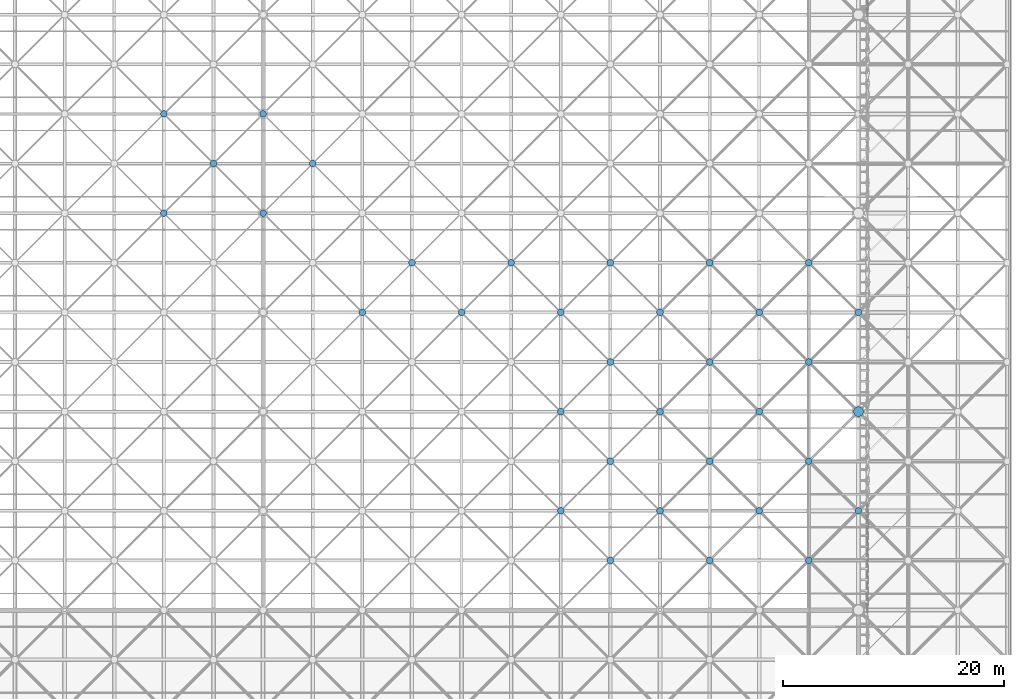
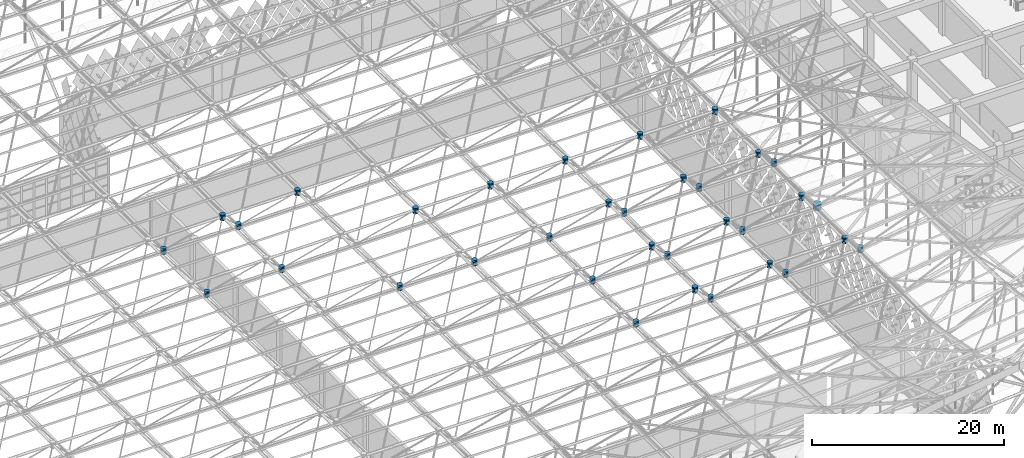
# One storey, part 312 of 437: 34 discrete accessories.
"""IFC4 building model written with IfcOpenShell, lengths in metres."""

from ifc_helpers import new_model, si_unit, direction, frame, origin, place, context, subcontext, project, spatial, polyline, outline, extrude, material, type_object, element, save


model = new_model("IFC4")

# Units and contexts
model_context = context("Model", 3, precision=1e-05, world=origin(), true_north=direction((0.0, 1.0)))
body_context = subcontext(model_context, "Body", "Model", "MODEL_VIEW")
ifc_project = project(units=[si_unit("LENGTHUNIT", "METRE"), si_unit("AREAUNIT", "SQUARE_METRE"), si_unit("VOLUMEUNIT", "CUBIC_METRE"), si_unit("PLANEANGLEUNIT", "RADIAN"), si_unit("MASSUNIT", "GRAM", prefix="KILO")], contexts=[model_context])

# Site, building, storey
site_placement = place(None, origin())
site = spatial("IfcSite", under=ifc_project, at=site_placement, CompositionType="ELEMENT")
building_placement = place(site_placement, origin())
building = spatial("IfcBuilding", under=site, at=building_placement, Name="Opaline Strait Convention Centre", CompositionType="ELEMENT")
storey_placement = place(building_placement, frame((0.0, 0.0, 11.5)))
storey = spatial("IfcBuildingStorey", under=building, at=storey_placement, Name="L02", CompositionType="ELEMENT", Elevation=11.5)

# Discrete accessories
ifc_material = material(Name="Cast steel ZG300-500H (300 MPa)", Category="steel")
discrete_accessory_type_1 = type_object("IfcDiscreteAccessoryType", Name="Space frame bearing node hub D900", PredefinedType="USERDEFINED", material=ifc_material)
discrete_accessory_1_placement = place(storey_placement, frame((0.0, 0.0, 12.139892578125)))
element("IfcDiscreteAccessory", 1, at=discrete_accessory_1_placement, inside=storey, type_object=discrete_accessory_type_1, Name="Bottom node 20/6", ObjectType="NODE HUB", PredefinedType="USERDEFINED", context=body_context, shape_type="SweptSolid", body=[
    extrude(outline(polyline([(261.449951171875, 90.089599609375), (261.381591796875, 90.2548828125), (261.2548828125, 90.381591796875), (261.089599609375, 90.449951171875), (260.910400390625, 90.449951171875), (260.7451171875, 90.381591796875), (260.618408203125, 90.2548828125), (260.550048828125, 90.089599609375), (260.550048828125, 89.910400390625), (260.618408203125, 89.7451171875), (260.7451171875, 89.618408203125), (260.910400390625, 89.550048828125), (261.089599609375, 89.550048828125), (261.2548828125, 89.618408203125), (261.381591796875, 89.7451171875), (261.449951171875, 89.910400390625), (261.449951171875, 90.089599609375)])), origin(), (0.0, 0.0, 1.0), 0.72021484375),
])
discrete_accessory_type_2 = type_object("IfcDiscreteAccessoryType", Name="Space frame node hub D600", PredefinedType="USERDEFINED", material=ifc_material)
discrete_accessory_2_placement = place(storey_placement, frame((0.0, 0.0, 17.611572265625)))
element("IfcDiscreteAccessory", 2, at=discrete_accessory_2_placement, inside=storey, type_object=discrete_accessory_type_2, Name="Top node 14/9", ObjectType="NODE HUB", PredefinedType="USERDEFINED", context=body_context, shape_type="SweptSolid", body=[
    extrude(outline(polyline([(202.800048828125, 112.559814453125), (202.75439453125, 112.669921875), (202.669921875, 112.75439453125), (202.559814453125, 112.800048828125), (202.440185546875, 112.800048828125), (202.330078125, 112.75439453125), (202.24560546875, 112.669921875), (202.199951171875, 112.559814453125), (202.199951171875, 112.440185546875), (202.24560546875, 112.330078125), (202.330078125, 112.24560546875), (202.440185546875, 112.199951171875), (202.559814453125, 112.199951171875), (202.669921875, 112.24560546875), (202.75439453125, 112.330078125), (202.800048828125, 112.440185546875), (202.800048828125, 112.559814453125)])), origin(), (0.0, 0.0, 1.0), 0.719970703125),
])
discrete_accessory_3_placement = place(storey_placement, frame((0.0, 0.0, 17.611572265625)))
element("IfcDiscreteAccessory", 3, at=discrete_accessory_3_placement, inside=storey, type_object=discrete_accessory_type_2, Name="Top node 15/9", ObjectType="NODE HUB", PredefinedType="USERDEFINED", context=body_context, shape_type="SweptSolid", body=[
    extrude(outline(polyline([(211.800048828125, 112.559814453125), (211.75439453125, 112.669921875), (211.669921875, 112.75439453125), (211.559814453125, 112.800048828125), (211.440185546875, 112.800048828125), (211.330078125, 112.75439453125), (211.24560546875, 112.669921875), (211.199951171875, 112.559814453125), (211.199951171875, 112.440185546875), (211.24560546875, 112.330078125), (211.330078125, 112.24560546875), (211.440185546875, 112.199951171875), (211.559814453125, 112.199951171875), (211.669921875, 112.24560546875), (211.75439453125, 112.330078125), (211.800048828125, 112.440185546875), (211.800048828125, 112.559814453125)])), origin(), (0.0, 0.0, 1.0), 0.719970703125),
])
discrete_accessory_4_placement = place(storey_placement, frame((0.0, 0.0, 17.611572265625)))
element("IfcDiscreteAccessory", 4, at=discrete_accessory_4_placement, inside=storey, type_object=discrete_accessory_type_2, Name="Top node 16/8", ObjectType="NODE HUB", PredefinedType="USERDEFINED", context=body_context, shape_type="SweptSolid", body=[
    extrude(outline(polyline([(220.800048828125, 103.559814453125), (220.75439453125, 103.669921875), (220.669921875, 103.75439453125), (220.559814453125, 103.800048828125), (220.440185546875, 103.800048828125), (220.330078125, 103.75439453125), (220.24560546875, 103.669921875), (220.199951171875, 103.559814453125), (220.199951171875, 103.440185546875), (220.24560546875, 103.330078125), (220.330078125, 103.24560546875), (220.440185546875, 103.199951171875), (220.559814453125, 103.199951171875), (220.669921875, 103.24560546875), (220.75439453125, 103.330078125), (220.800048828125, 103.440185546875), (220.800048828125, 103.559814453125)])), origin(), (0.0, 0.0, 1.0), 0.719970703125),
])
discrete_accessory_5_placement = place(storey_placement, frame((0.0, 0.0, 17.611572265625)))
element("IfcDiscreteAccessory", 5, at=discrete_accessory_5_placement, inside=storey, type_object=discrete_accessory_type_2, Name="Top node 17/8", ObjectType="NODE HUB", PredefinedType="USERDEFINED", context=body_context, shape_type="SweptSolid", body=[
    extrude(outline(polyline([(229.800048828125, 103.559814453125), (229.75439453125, 103.669921875), (229.669921875, 103.75439453125), (229.559814453125, 103.800048828125), (229.440185546875, 103.800048828125), (229.330078125, 103.75439453125), (229.24560546875, 103.669921875), (229.199951171875, 103.559814453125), (229.199951171875, 103.440185546875), (229.24560546875, 103.330078125), (229.330078125, 103.24560546875), (229.440185546875, 103.199951171875), (229.559814453125, 103.199951171875), (229.669921875, 103.24560546875), (229.75439453125, 103.330078125), (229.800048828125, 103.440185546875), (229.800048828125, 103.559814453125)])), origin(), (0.0, 0.0, 1.0), 0.719970703125),
])
discrete_accessory_6_placement = place(storey_placement, frame((0.0, 0.0, 17.611572265625)))
element("IfcDiscreteAccessory", 6, at=discrete_accessory_6_placement, inside=storey, type_object=discrete_accessory_type_2, Name="Top node 18/5", ObjectType="NODE HUB", PredefinedType="USERDEFINED", context=body_context, shape_type="SweptSolid", body=[
    extrude(outline(polyline([(238.800048828125, 76.559814453125), (238.75439453125, 76.669921875), (238.669921875, 76.75439453125), (238.559814453125, 76.800048828125), (238.440185546875, 76.800048828125), (238.330078125, 76.75439453125), (238.24560546875, 76.669921875), (238.199951171875, 76.559814453125), (238.199951171875, 76.440185546875), (238.24560546875, 76.330078125), (238.330078125, 76.24560546875), (238.440185546875, 76.199951171875), (238.559814453125, 76.199951171875), (238.669921875, 76.24560546875), (238.75439453125, 76.330078125), (238.800048828125, 76.440185546875), (238.800048828125, 76.559814453125)])), origin(), (0.0, 0.0, 1.0), 0.719970703125),
])
discrete_accessory_7_placement = place(storey_placement, frame((0.0, 0.0, 17.611572265625)))
element("IfcDiscreteAccessory", 7, at=discrete_accessory_7_placement, inside=storey, type_object=discrete_accessory_type_2, Name="Top node 18/6", ObjectType="NODE HUB", PredefinedType="USERDEFINED", context=body_context, shape_type="SweptSolid", body=[
    extrude(outline(polyline([(238.800048828125, 85.559814453125), (238.75439453125, 85.669921875), (238.669921875, 85.75439453125), (238.559814453125, 85.800048828125), (238.440185546875, 85.800048828125), (238.330078125, 85.75439453125), (238.24560546875, 85.669921875), (238.199951171875, 85.559814453125), (238.199951171875, 85.440185546875), (238.24560546875, 85.330078125), (238.330078125, 85.24560546875), (238.440185546875, 85.199951171875), (238.559814453125, 85.199951171875), (238.669921875, 85.24560546875), (238.75439453125, 85.330078125), (238.800048828125, 85.440185546875), (238.800048828125, 85.559814453125)])), origin(), (0.0, 0.0, 1.0), 0.719970703125),
])
discrete_accessory_8_placement = place(storey_placement, frame((0.0, 0.0, 17.611572265625)))
element("IfcDiscreteAccessory", 8, at=discrete_accessory_8_placement, inside=storey, type_object=discrete_accessory_type_2, Name="Top node 18/7", ObjectType="NODE HUB", PredefinedType="USERDEFINED", context=body_context, shape_type="SweptSolid", body=[
    extrude(outline(polyline([(238.800048828125, 94.559814453125), (238.75439453125, 94.669921875), (238.669921875, 94.75439453125), (238.559814453125, 94.800048828125), (238.440185546875, 94.800048828125), (238.330078125, 94.75439453125), (238.24560546875, 94.669921875), (238.199951171875, 94.559814453125), (238.199951171875, 94.440185546875), (238.24560546875, 94.330078125), (238.330078125, 94.24560546875), (238.440185546875, 94.199951171875), (238.559814453125, 94.199951171875), (238.669921875, 94.24560546875), (238.75439453125, 94.330078125), (238.800048828125, 94.440185546875), (238.800048828125, 94.559814453125)])), origin(), (0.0, 0.0, 1.0), 0.719970703125),
])
discrete_accessory_9_placement = place(storey_placement, frame((0.0, 0.0, 17.611572265625)))
element("IfcDiscreteAccessory", 9, at=discrete_accessory_9_placement, inside=storey, type_object=discrete_accessory_type_2, Name="Top node 18/8", ObjectType="NODE HUB", PredefinedType="USERDEFINED", context=body_context, shape_type="SweptSolid", body=[
    extrude(outline(polyline([(238.800048828125, 103.559814453125), (238.75439453125, 103.669921875), (238.669921875, 103.75439453125), (238.559814453125, 103.800048828125), (238.440185546875, 103.800048828125), (238.330078125, 103.75439453125), (238.24560546875, 103.669921875), (238.199951171875, 103.559814453125), (238.199951171875, 103.440185546875), (238.24560546875, 103.330078125), (238.330078125, 103.24560546875), (238.440185546875, 103.199951171875), (238.559814453125, 103.199951171875), (238.669921875, 103.24560546875), (238.75439453125, 103.330078125), (238.800048828125, 103.440185546875), (238.800048828125, 103.559814453125)])), origin(), (0.0, 0.0, 1.0), 0.719970703125),
])
discrete_accessory_10_placement = place(storey_placement, frame((0.0, 0.0, 17.611572265625)))
element("IfcDiscreteAccessory", 10, at=discrete_accessory_10_placement, inside=storey, type_object=discrete_accessory_type_2, Name="Top node 19/5", ObjectType="NODE HUB", PredefinedType="USERDEFINED", context=body_context, shape_type="SweptSolid", body=[
    extrude(outline(polyline([(247.800048828125, 76.559814453125), (247.75439453125, 76.669921875), (247.669921875, 76.75439453125), (247.559814453125, 76.800048828125), (247.440185546875, 76.800048828125), (247.330078125, 76.75439453125), (247.24560546875, 76.669921875), (247.199951171875, 76.559814453125), (247.199951171875, 76.440185546875), (247.24560546875, 76.330078125), (247.330078125, 76.24560546875), (247.440185546875, 76.199951171875), (247.559814453125, 76.199951171875), (247.669921875, 76.24560546875), (247.75439453125, 76.330078125), (247.800048828125, 76.440185546875), (247.800048828125, 76.559814453125)])), origin(), (0.0, 0.0, 1.0), 0.719970703125),
])
discrete_accessory_11_placement = place(storey_placement, frame((0.0, 0.0, 17.611572265625)))
element("IfcDiscreteAccessory", 11, at=discrete_accessory_11_placement, inside=storey, type_object=discrete_accessory_type_2, Name="Top node 19/6", ObjectType="NODE HUB", PredefinedType="USERDEFINED", context=body_context, shape_type="SweptSolid", body=[
    extrude(outline(polyline([(247.800048828125, 85.559814453125), (247.75439453125, 85.669921875), (247.669921875, 85.75439453125), (247.559814453125, 85.800048828125), (247.440185546875, 85.800048828125), (247.330078125, 85.75439453125), (247.24560546875, 85.669921875), (247.199951171875, 85.559814453125), (247.199951171875, 85.440185546875), (247.24560546875, 85.330078125), (247.330078125, 85.24560546875), (247.440185546875, 85.199951171875), (247.559814453125, 85.199951171875), (247.669921875, 85.24560546875), (247.75439453125, 85.330078125), (247.800048828125, 85.440185546875), (247.800048828125, 85.559814453125)])), origin(), (0.0, 0.0, 1.0), 0.719970703125),
])
discrete_accessory_12_placement = place(storey_placement, frame((0.0, 0.0, 17.611572265625)))
element("IfcDiscreteAccessory", 12, at=discrete_accessory_12_placement, inside=storey, type_object=discrete_accessory_type_2, Name="Top node 19/7", ObjectType="NODE HUB", PredefinedType="USERDEFINED", context=body_context, shape_type="SweptSolid", body=[
    extrude(outline(polyline([(247.800048828125, 94.559814453125), (247.75439453125, 94.669921875), (247.669921875, 94.75439453125), (247.559814453125, 94.800048828125), (247.440185546875, 94.800048828125), (247.330078125, 94.75439453125), (247.24560546875, 94.669921875), (247.199951171875, 94.559814453125), (247.199951171875, 94.440185546875), (247.24560546875, 94.330078125), (247.330078125, 94.24560546875), (247.440185546875, 94.199951171875), (247.559814453125, 94.199951171875), (247.669921875, 94.24560546875), (247.75439453125, 94.330078125), (247.800048828125, 94.440185546875), (247.800048828125, 94.559814453125)])), origin(), (0.0, 0.0, 1.0), 0.719970703125),
])
discrete_accessory_13_placement = place(storey_placement, frame((0.0, 0.0, 17.611572265625)))
element("IfcDiscreteAccessory", 13, at=discrete_accessory_13_placement, inside=storey, type_object=discrete_accessory_type_2, Name="Top node 19/8", ObjectType="NODE HUB", PredefinedType="USERDEFINED", context=body_context, shape_type="SweptSolid", body=[
    extrude(outline(polyline([(247.800048828125, 103.559814453125), (247.75439453125, 103.669921875), (247.669921875, 103.75439453125), (247.559814453125, 103.800048828125), (247.440185546875, 103.800048828125), (247.330078125, 103.75439453125), (247.24560546875, 103.669921875), (247.199951171875, 103.559814453125), (247.199951171875, 103.440185546875), (247.24560546875, 103.330078125), (247.330078125, 103.24560546875), (247.440185546875, 103.199951171875), (247.559814453125, 103.199951171875), (247.669921875, 103.24560546875), (247.75439453125, 103.330078125), (247.800048828125, 103.440185546875), (247.800048828125, 103.559814453125)])), origin(), (0.0, 0.0, 1.0), 0.719970703125),
])
discrete_accessory_14_placement = place(storey_placement, frame((0.0, 0.0, 17.611572265625)))
element("IfcDiscreteAccessory", 14, at=discrete_accessory_14_placement, inside=storey, type_object=discrete_accessory_type_2, Name="Top node 20/5", ObjectType="NODE HUB", PredefinedType="USERDEFINED", context=body_context, shape_type="SweptSolid", body=[
    extrude(outline(polyline([(256.800048828125, 76.559814453125), (256.75439453125, 76.669921875), (256.669921875, 76.75439453125), (256.559814453125, 76.800048828125), (256.440185546875, 76.800048828125), (256.330078125, 76.75439453125), (256.24560546875, 76.669921875), (256.199951171875, 76.559814453125), (256.199951171875, 76.440185546875), (256.24560546875, 76.330078125), (256.330078125, 76.24560546875), (256.440185546875, 76.199951171875), (256.559814453125, 76.199951171875), (256.669921875, 76.24560546875), (256.75439453125, 76.330078125), (256.800048828125, 76.440185546875), (256.800048828125, 76.559814453125)])), origin(), (0.0, 0.0, 1.0), 0.719970703125),
])
discrete_accessory_15_placement = place(storey_placement, frame((0.0, 0.0, 17.611572265625)))
element("IfcDiscreteAccessory", 15, at=discrete_accessory_15_placement, inside=storey, type_object=discrete_accessory_type_2, Name="Top node 20/6", ObjectType="NODE HUB", PredefinedType="USERDEFINED", context=body_context, shape_type="SweptSolid", body=[
    extrude(outline(polyline([(256.800048828125, 85.559814453125), (256.75439453125, 85.669921875), (256.669921875, 85.75439453125), (256.559814453125, 85.800048828125), (256.440185546875, 85.800048828125), (256.330078125, 85.75439453125), (256.24560546875, 85.669921875), (256.199951171875, 85.559814453125), (256.199951171875, 85.440185546875), (256.24560546875, 85.330078125), (256.330078125, 85.24560546875), (256.440185546875, 85.199951171875), (256.559814453125, 85.199951171875), (256.669921875, 85.24560546875), (256.75439453125, 85.330078125), (256.800048828125, 85.440185546875), (256.800048828125, 85.559814453125)])), origin(), (0.0, 0.0, 1.0), 0.719970703125),
])
discrete_accessory_16_placement = place(storey_placement, frame((0.0, 0.0, 17.611572265625)))
element("IfcDiscreteAccessory", 16, at=discrete_accessory_16_placement, inside=storey, type_object=discrete_accessory_type_2, Name="Top node 20/7", ObjectType="NODE HUB", PredefinedType="USERDEFINED", context=body_context, shape_type="SweptSolid", body=[
    extrude(outline(polyline([(256.800048828125, 94.559814453125), (256.75439453125, 94.669921875), (256.669921875, 94.75439453125), (256.559814453125, 94.800048828125), (256.440185546875, 94.800048828125), (256.330078125, 94.75439453125), (256.24560546875, 94.669921875), (256.199951171875, 94.559814453125), (256.199951171875, 94.440185546875), (256.24560546875, 94.330078125), (256.330078125, 94.24560546875), (256.440185546875, 94.199951171875), (256.559814453125, 94.199951171875), (256.669921875, 94.24560546875), (256.75439453125, 94.330078125), (256.800048828125, 94.440185546875), (256.800048828125, 94.559814453125)])), origin(), (0.0, 0.0, 1.0), 0.719970703125),
])
discrete_accessory_17_placement = place(storey_placement, frame((0.0, 0.0, 17.611572265625)))
element("IfcDiscreteAccessory", 17, at=discrete_accessory_17_placement, inside=storey, type_object=discrete_accessory_type_2, Name="Top node 20/8", ObjectType="NODE HUB", PredefinedType="USERDEFINED", context=body_context, shape_type="SweptSolid", body=[
    extrude(outline(polyline([(256.800048828125, 103.559814453125), (256.75439453125, 103.669921875), (256.669921875, 103.75439453125), (256.559814453125, 103.800048828125), (256.440185546875, 103.800048828125), (256.330078125, 103.75439453125), (256.24560546875, 103.669921875), (256.199951171875, 103.559814453125), (256.199951171875, 103.440185546875), (256.24560546875, 103.330078125), (256.330078125, 103.24560546875), (256.440185546875, 103.199951171875), (256.559814453125, 103.199951171875), (256.669921875, 103.24560546875), (256.75439453125, 103.330078125), (256.800048828125, 103.440185546875), (256.800048828125, 103.559814453125)])), origin(), (0.0, 0.0, 1.0), 0.719970703125),
])
discrete_accessory_18_placement = place(storey_placement, frame((0.0, 0.0, 12.139892578125)))
element("IfcDiscreteAccessory", 18, at=discrete_accessory_18_placement, inside=storey, type_object=discrete_accessory_type_2, Name="Bottom node 13/8", ObjectType="NODE HUB", PredefinedType="USERDEFINED", context=body_context, shape_type="SweptSolid", body=[
    extrude(outline(polyline([(198.300048828125, 108.059814453125), (198.25439453125, 108.169921875), (198.169921875, 108.25439453125), (198.059814453125, 108.300048828125), (197.940185546875, 108.300048828125), (197.830078125, 108.25439453125), (197.74560546875, 108.169921875), (197.699951171875, 108.059814453125), (197.699951171875, 107.940185546875), (197.74560546875, 107.830078125), (197.830078125, 107.74560546875), (197.940185546875, 107.699951171875), (198.059814453125, 107.699951171875), (198.169921875, 107.74560546875), (198.25439453125, 107.830078125), (198.300048828125, 107.940185546875), (198.300048828125, 108.059814453125)])), origin(), (0.0, 0.0, 1.0), 0.72021484375),
])
discrete_accessory_19_placement = place(storey_placement, frame((0.0, 0.0, 12.139892578125)))
element("IfcDiscreteAccessory", 19, at=discrete_accessory_19_placement, inside=storey, type_object=discrete_accessory_type_2, Name="Bottom node 13/9", ObjectType="NODE HUB", PredefinedType="USERDEFINED", context=body_context, shape_type="SweptSolid", body=[
    extrude(outline(polyline([(198.300048828125, 117.059814453125), (198.25439453125, 117.169921875), (198.169921875, 117.25439453125), (198.059814453125, 117.300048828125), (197.940185546875, 117.300048828125), (197.830078125, 117.25439453125), (197.74560546875, 117.169921875), (197.699951171875, 117.059814453125), (197.699951171875, 116.940185546875), (197.74560546875, 116.830078125), (197.830078125, 116.74560546875), (197.940185546875, 116.699951171875), (198.059814453125, 116.699951171875), (198.169921875, 116.74560546875), (198.25439453125, 116.830078125), (198.300048828125, 116.940185546875), (198.300048828125, 117.059814453125)])), origin(), (0.0, 0.0, 1.0), 0.72021484375),
])
discrete_accessory_20_placement = place(storey_placement, frame((0.0, 0.0, 12.139892578125)))
element("IfcDiscreteAccessory", 20, at=discrete_accessory_20_placement, inside=storey, type_object=discrete_accessory_type_2, Name="Bottom node 14/8", ObjectType="NODE HUB", PredefinedType="USERDEFINED", context=body_context, shape_type="SweptSolid", body=[
    extrude(outline(polyline([(207.300048828125, 108.059814453125), (207.25439453125, 108.169921875), (207.169921875, 108.25439453125), (207.059814453125, 108.300048828125), (206.940185546875, 108.300048828125), (206.830078125, 108.25439453125), (206.74560546875, 108.169921875), (206.699951171875, 108.059814453125), (206.699951171875, 107.940185546875), (206.74560546875, 107.830078125), (206.830078125, 107.74560546875), (206.940185546875, 107.699951171875), (207.059814453125, 107.699951171875), (207.169921875, 107.74560546875), (207.25439453125, 107.830078125), (207.300048828125, 107.940185546875), (207.300048828125, 108.059814453125)])), origin(), (0.0, 0.0, 1.0), 0.72021484375),
])
discrete_accessory_21_placement = place(storey_placement, frame((0.0, 0.0, 12.139892578125)))
element("IfcDiscreteAccessory", 21, at=discrete_accessory_21_placement, inside=storey, type_object=discrete_accessory_type_2, Name="Bottom node 14/9", ObjectType="NODE HUB", PredefinedType="USERDEFINED", context=body_context, shape_type="SweptSolid", body=[
    extrude(outline(polyline([(207.300048828125, 117.059814453125), (207.25439453125, 117.169921875), (207.169921875, 117.25439453125), (207.059814453125, 117.300048828125), (206.940185546875, 117.300048828125), (206.830078125, 117.25439453125), (206.74560546875, 117.169921875), (206.699951171875, 117.059814453125), (206.699951171875, 116.940185546875), (206.74560546875, 116.830078125), (206.830078125, 116.74560546875), (206.940185546875, 116.699951171875), (207.059814453125, 116.699951171875), (207.169921875, 116.74560546875), (207.25439453125, 116.830078125), (207.300048828125, 116.940185546875), (207.300048828125, 117.059814453125)])), origin(), (0.0, 0.0, 1.0), 0.72021484375),
])
discrete_accessory_22_placement = place(storey_placement, frame((0.0, 0.0, 12.139892578125)))
element("IfcDiscreteAccessory", 22, at=discrete_accessory_22_placement, inside=storey, type_object=discrete_accessory_type_2, Name="Bottom node 15/7", ObjectType="NODE HUB", PredefinedType="USERDEFINED", context=body_context, shape_type="SweptSolid", body=[
    extrude(outline(polyline([(216.300048828125, 99.059814453125), (216.25439453125, 99.169921875), (216.169921875, 99.25439453125), (216.059814453125, 99.300048828125), (215.940185546875, 99.300048828125), (215.830078125, 99.25439453125), (215.74560546875, 99.169921875), (215.699951171875, 99.059814453125), (215.699951171875, 98.940185546875), (215.74560546875, 98.830078125), (215.830078125, 98.74560546875), (215.940185546875, 98.699951171875), (216.059814453125, 98.699951171875), (216.169921875, 98.74560546875), (216.25439453125, 98.830078125), (216.300048828125, 98.940185546875), (216.300048828125, 99.059814453125)])), origin(), (0.0, 0.0, 1.0), 0.72021484375),
])
discrete_accessory_23_placement = place(storey_placement, frame((0.0, 0.0, 12.139892578125)))
element("IfcDiscreteAccessory", 23, at=discrete_accessory_23_placement, inside=storey, type_object=discrete_accessory_type_2, Name="Bottom node 16/7", ObjectType="NODE HUB", PredefinedType="USERDEFINED", context=body_context, shape_type="SweptSolid", body=[
    extrude(outline(polyline([(225.300048828125, 99.059814453125), (225.25439453125, 99.169921875), (225.169921875, 99.25439453125), (225.059814453125, 99.300048828125), (224.940185546875, 99.300048828125), (224.830078125, 99.25439453125), (224.74560546875, 99.169921875), (224.699951171875, 99.059814453125), (224.699951171875, 98.940185546875), (224.74560546875, 98.830078125), (224.830078125, 98.74560546875), (224.940185546875, 98.699951171875), (225.059814453125, 98.699951171875), (225.169921875, 98.74560546875), (225.25439453125, 98.830078125), (225.300048828125, 98.940185546875), (225.300048828125, 99.059814453125)])), origin(), (0.0, 0.0, 1.0), 0.72021484375),
])
discrete_accessory_24_placement = place(storey_placement, frame((0.0, 0.0, 12.139892578125)))
element("IfcDiscreteAccessory", 24, at=discrete_accessory_24_placement, inside=storey, type_object=discrete_accessory_type_2, Name="Bottom node 17/5", ObjectType="NODE HUB", PredefinedType="USERDEFINED", context=body_context, shape_type="SweptSolid", body=[
    extrude(outline(polyline([(234.300048828125, 81.059814453125), (234.25439453125, 81.169921875), (234.169921875, 81.25439453125), (234.059814453125, 81.300048828125), (233.940185546875, 81.300048828125), (233.830078125, 81.25439453125), (233.74560546875, 81.169921875), (233.699951171875, 81.059814453125), (233.699951171875, 80.940185546875), (233.74560546875, 80.830078125), (233.830078125, 80.74560546875), (233.940185546875, 80.699951171875), (234.059814453125, 80.699951171875), (234.169921875, 80.74560546875), (234.25439453125, 80.830078125), (234.300048828125, 80.940185546875), (234.300048828125, 81.059814453125)])), origin(), (0.0, 0.0, 1.0), 0.72021484375),
])
discrete_accessory_25_placement = place(storey_placement, frame((0.0, 0.0, 12.139892578125)))
element("IfcDiscreteAccessory", 25, at=discrete_accessory_25_placement, inside=storey, type_object=discrete_accessory_type_2, Name="Bottom node 17/6", ObjectType="NODE HUB", PredefinedType="USERDEFINED", context=body_context, shape_type="SweptSolid", body=[
    extrude(outline(polyline([(234.300048828125, 90.059814453125), (234.25439453125, 90.169921875), (234.169921875, 90.25439453125), (234.059814453125, 90.300048828125), (233.940185546875, 90.300048828125), (233.830078125, 90.25439453125), (233.74560546875, 90.169921875), (233.699951171875, 90.059814453125), (233.699951171875, 89.940185546875), (233.74560546875, 89.830078125), (233.830078125, 89.74560546875), (233.940185546875, 89.699951171875), (234.059814453125, 89.699951171875), (234.169921875, 89.74560546875), (234.25439453125, 89.830078125), (234.300048828125, 89.940185546875), (234.300048828125, 90.059814453125)])), origin(), (0.0, 0.0, 1.0), 0.72021484375),
])
discrete_accessory_26_placement = place(storey_placement, frame((0.0, 0.0, 12.139892578125)))
element("IfcDiscreteAccessory", 26, at=discrete_accessory_26_placement, inside=storey, type_object=discrete_accessory_type_2, Name="Bottom node 17/7", ObjectType="NODE HUB", PredefinedType="USERDEFINED", context=body_context, shape_type="SweptSolid", body=[
    extrude(outline(polyline([(234.300048828125, 99.059814453125), (234.25439453125, 99.169921875), (234.169921875, 99.25439453125), (234.059814453125, 99.300048828125), (233.940185546875, 99.300048828125), (233.830078125, 99.25439453125), (233.74560546875, 99.169921875), (233.699951171875, 99.059814453125), (233.699951171875, 98.940185546875), (233.74560546875, 98.830078125), (233.830078125, 98.74560546875), (233.940185546875, 98.699951171875), (234.059814453125, 98.699951171875), (234.169921875, 98.74560546875), (234.25439453125, 98.830078125), (234.300048828125, 98.940185546875), (234.300048828125, 99.059814453125)])), origin(), (0.0, 0.0, 1.0), 0.72021484375),
])
discrete_accessory_27_placement = place(storey_placement, frame((0.0, 0.0, 12.139892578125)))
element("IfcDiscreteAccessory", 27, at=discrete_accessory_27_placement, inside=storey, type_object=discrete_accessory_type_2, Name="Bottom node 18/5", ObjectType="NODE HUB", PredefinedType="USERDEFINED", context=body_context, shape_type="SweptSolid", body=[
    extrude(outline(polyline([(243.300048828125, 81.059814453125), (243.25439453125, 81.169921875), (243.169921875, 81.25439453125), (243.059814453125, 81.300048828125), (242.940185546875, 81.300048828125), (242.830078125, 81.25439453125), (242.74560546875, 81.169921875), (242.699951171875, 81.059814453125), (242.699951171875, 80.940185546875), (242.74560546875, 80.830078125), (242.830078125, 80.74560546875), (242.940185546875, 80.699951171875), (243.059814453125, 80.699951171875), (243.169921875, 80.74560546875), (243.25439453125, 80.830078125), (243.300048828125, 80.940185546875), (243.300048828125, 81.059814453125)])), origin(), (0.0, 0.0, 1.0), 0.72021484375),
])
discrete_accessory_28_placement = place(storey_placement, frame((0.0, 0.0, 12.139892578125)))
element("IfcDiscreteAccessory", 28, at=discrete_accessory_28_placement, inside=storey, type_object=discrete_accessory_type_2, Name="Bottom node 18/6", ObjectType="NODE HUB", PredefinedType="USERDEFINED", context=body_context, shape_type="SweptSolid", body=[
    extrude(outline(polyline([(243.300048828125, 90.059814453125), (243.25439453125, 90.169921875), (243.169921875, 90.25439453125), (243.059814453125, 90.300048828125), (242.940185546875, 90.300048828125), (242.830078125, 90.25439453125), (242.74560546875, 90.169921875), (242.699951171875, 90.059814453125), (242.699951171875, 89.940185546875), (242.74560546875, 89.830078125), (242.830078125, 89.74560546875), (242.940185546875, 89.699951171875), (243.059814453125, 89.699951171875), (243.169921875, 89.74560546875), (243.25439453125, 89.830078125), (243.300048828125, 89.940185546875), (243.300048828125, 90.059814453125)])), origin(), (0.0, 0.0, 1.0), 0.72021484375),
])
discrete_accessory_29_placement = place(storey_placement, frame((0.0, 0.0, 12.139892578125)))
element("IfcDiscreteAccessory", 29, at=discrete_accessory_29_placement, inside=storey, type_object=discrete_accessory_type_2, Name="Bottom node 18/7", ObjectType="NODE HUB", PredefinedType="USERDEFINED", context=body_context, shape_type="SweptSolid", body=[
    extrude(outline(polyline([(243.300048828125, 99.059814453125), (243.25439453125, 99.169921875), (243.169921875, 99.25439453125), (243.059814453125, 99.300048828125), (242.940185546875, 99.300048828125), (242.830078125, 99.25439453125), (242.74560546875, 99.169921875), (242.699951171875, 99.059814453125), (242.699951171875, 98.940185546875), (242.74560546875, 98.830078125), (242.830078125, 98.74560546875), (242.940185546875, 98.699951171875), (243.059814453125, 98.699951171875), (243.169921875, 98.74560546875), (243.25439453125, 98.830078125), (243.300048828125, 98.940185546875), (243.300048828125, 99.059814453125)])), origin(), (0.0, 0.0, 1.0), 0.72021484375),
])
discrete_accessory_30_placement = place(storey_placement, frame((0.0, 0.0, 12.139892578125)))
element("IfcDiscreteAccessory", 30, at=discrete_accessory_30_placement, inside=storey, type_object=discrete_accessory_type_2, Name="Bottom node 19/5", ObjectType="NODE HUB", PredefinedType="USERDEFINED", context=body_context, shape_type="SweptSolid", body=[
    extrude(outline(polyline([(252.300048828125, 81.059814453125), (252.25439453125, 81.169921875), (252.169921875, 81.25439453125), (252.059814453125, 81.300048828125), (251.940185546875, 81.300048828125), (251.830078125, 81.25439453125), (251.74560546875, 81.169921875), (251.699951171875, 81.059814453125), (251.699951171875, 80.940185546875), (251.74560546875, 80.830078125), (251.830078125, 80.74560546875), (251.940185546875, 80.699951171875), (252.059814453125, 80.699951171875), (252.169921875, 80.74560546875), (252.25439453125, 80.830078125), (252.300048828125, 80.940185546875), (252.300048828125, 81.059814453125)])), origin(), (0.0, 0.0, 1.0), 0.72021484375),
])
discrete_accessory_31_placement = place(storey_placement, frame((0.0, 0.0, 12.139892578125)))
element("IfcDiscreteAccessory", 31, at=discrete_accessory_31_placement, inside=storey, type_object=discrete_accessory_type_2, Name="Bottom node 19/6", ObjectType="NODE HUB", PredefinedType="USERDEFINED", context=body_context, shape_type="SweptSolid", body=[
    extrude(outline(polyline([(252.300048828125, 90.059814453125), (252.25439453125, 90.169921875), (252.169921875, 90.25439453125), (252.059814453125, 90.300048828125), (251.940185546875, 90.300048828125), (251.830078125, 90.25439453125), (251.74560546875, 90.169921875), (251.699951171875, 90.059814453125), (251.699951171875, 89.940185546875), (251.74560546875, 89.830078125), (251.830078125, 89.74560546875), (251.940185546875, 89.699951171875), (252.059814453125, 89.699951171875), (252.169921875, 89.74560546875), (252.25439453125, 89.830078125), (252.300048828125, 89.940185546875), (252.300048828125, 90.059814453125)])), origin(), (0.0, 0.0, 1.0), 0.72021484375),
])
discrete_accessory_32_placement = place(storey_placement, frame((0.0, 0.0, 12.139892578125)))
element("IfcDiscreteAccessory", 32, at=discrete_accessory_32_placement, inside=storey, type_object=discrete_accessory_type_2, Name="Bottom node 19/7", ObjectType="NODE HUB", PredefinedType="USERDEFINED", context=body_context, shape_type="SweptSolid", body=[
    extrude(outline(polyline([(252.300048828125, 99.059814453125), (252.25439453125, 99.169921875), (252.169921875, 99.25439453125), (252.059814453125, 99.300048828125), (251.940185546875, 99.300048828125), (251.830078125, 99.25439453125), (251.74560546875, 99.169921875), (251.699951171875, 99.059814453125), (251.699951171875, 98.940185546875), (251.74560546875, 98.830078125), (251.830078125, 98.74560546875), (251.940185546875, 98.699951171875), (252.059814453125, 98.699951171875), (252.169921875, 98.74560546875), (252.25439453125, 98.830078125), (252.300048828125, 98.940185546875), (252.300048828125, 99.059814453125)])), origin(), (0.0, 0.0, 1.0), 0.72021484375),
])
discrete_accessory_33_placement = place(storey_placement, frame((0.0, 0.0, 12.139892578125)))
element("IfcDiscreteAccessory", 33, at=discrete_accessory_33_placement, inside=storey, type_object=discrete_accessory_type_2, Name="Bottom node 20/5", ObjectType="NODE HUB", PredefinedType="USERDEFINED", context=body_context, shape_type="SweptSolid", body=[
    extrude(outline(polyline([(261.300048828125, 81.059814453125), (261.25439453125, 81.169921875), (261.169921875, 81.25439453125), (261.059814453125, 81.300048828125), (260.940185546875, 81.300048828125), (260.830078125, 81.25439453125), (260.74560546875, 81.169921875), (260.699951171875, 81.059814453125), (260.699951171875, 80.940185546875), (260.74560546875, 80.830078125), (260.830078125, 80.74560546875), (260.940185546875, 80.699951171875), (261.059814453125, 80.699951171875), (261.169921875, 80.74560546875), (261.25439453125, 80.830078125), (261.300048828125, 80.940185546875), (261.300048828125, 81.059814453125)])), origin(), (0.0, 0.0, 1.0), 0.72021484375),
])
discrete_accessory_34_placement = place(storey_placement, frame((0.0, 0.0, 12.139892578125)))
element("IfcDiscreteAccessory", 34, at=discrete_accessory_34_placement, inside=storey, type_object=discrete_accessory_type_2, Name="Bottom node 20/7", ObjectType="NODE HUB", PredefinedType="USERDEFINED", context=body_context, shape_type="SweptSolid", body=[
    extrude(outline(polyline([(261.300048828125, 99.059814453125), (261.25439453125, 99.169921875), (261.169921875, 99.25439453125), (261.059814453125, 99.300048828125), (260.940185546875, 99.300048828125), (260.830078125, 99.25439453125), (260.74560546875, 99.169921875), (260.699951171875, 99.059814453125), (260.699951171875, 98.940185546875), (260.74560546875, 98.830078125), (260.830078125, 98.74560546875), (260.940185546875, 98.699951171875), (261.059814453125, 98.699951171875), (261.169921875, 98.74560546875), (261.25439453125, 98.830078125), (261.300048828125, 98.940185546875), (261.300048828125, 99.059814453125)])), origin(), (0.0, 0.0, 1.0), 0.72021484375),
])

save(model, "model.ifc")
